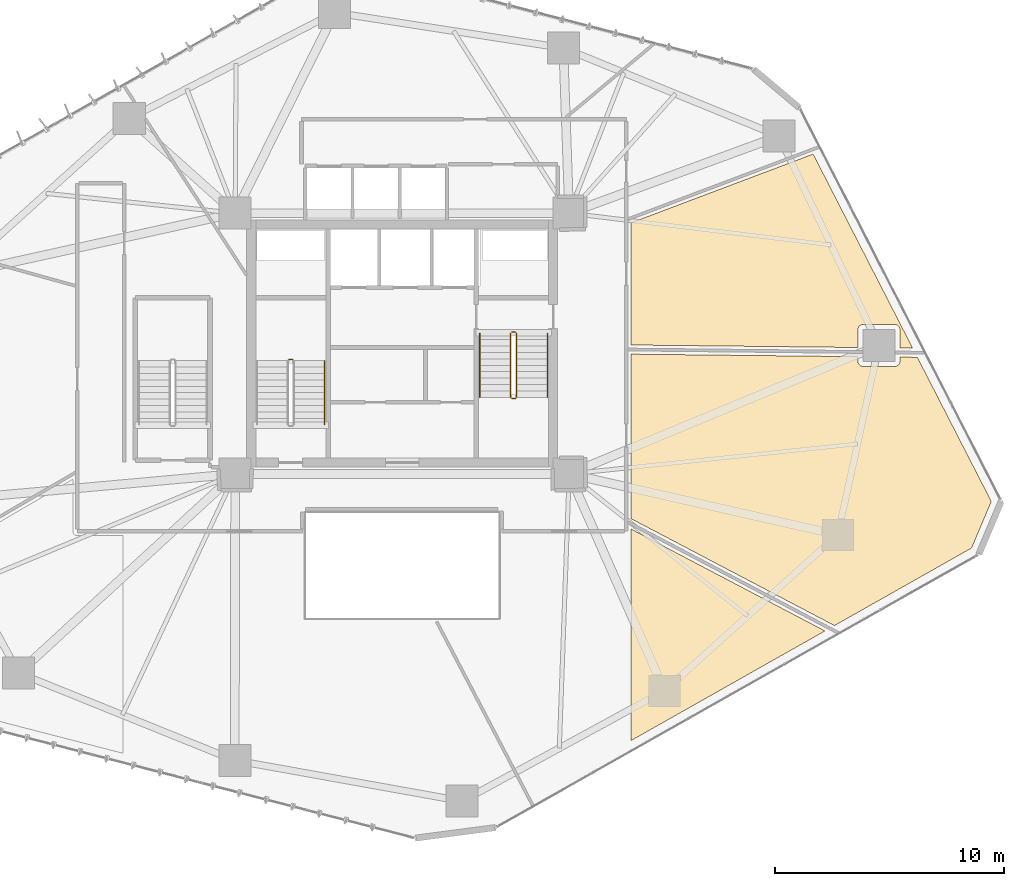
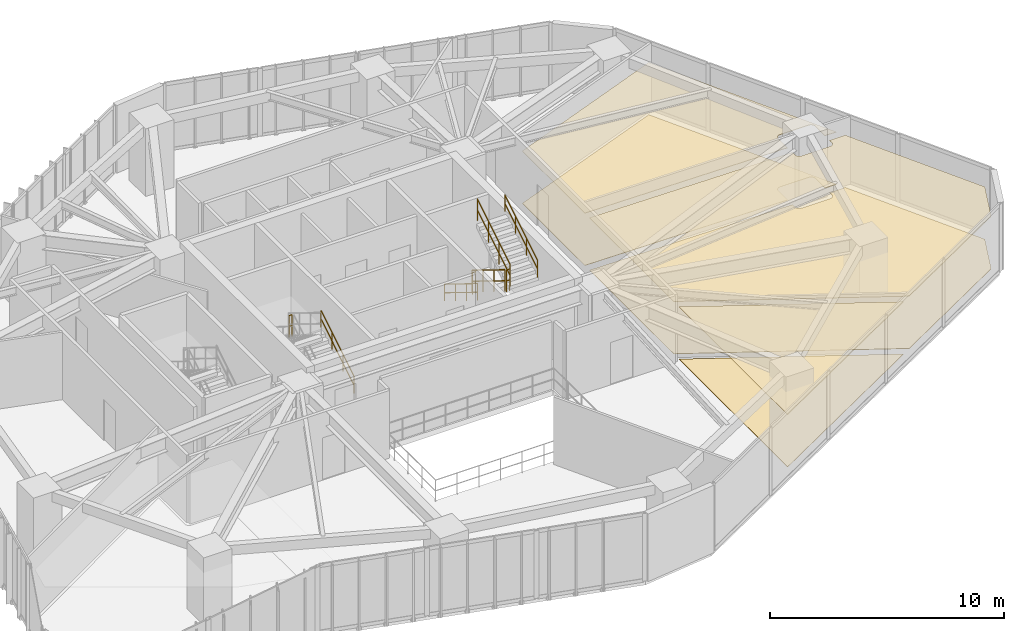
# One storey, part 22 of 23: 8 railings, 6 coverings.
"""IFC4 building model written with IfcOpenShell, lengths in metres."""

from ifc_helpers import new_model, si_unit, direction, frame, origin, origin_2d, place, context, subcontext, project, spatial, polyline, circle, outline, extrude, material, layer, layer_set, type_object, element, save


model = new_model("IFC4")

# Units and contexts
model_context = context("Model", 3, precision=1e-05, world=origin(), true_north=direction((0.0, 1.0)))
body_context = subcontext(model_context, "Body", "Model", "MODEL_VIEW")
ifc_project = project(units=[si_unit("LENGTHUNIT", "METRE"), si_unit("AREAUNIT", "SQUARE_METRE"), si_unit("VOLUMEUNIT", "CUBIC_METRE"), si_unit("PLANEANGLEUNIT", "RADIAN"), si_unit("MASSUNIT", "GRAM", prefix="KILO")], contexts=[model_context])

# Site, building, storey
site_placement = place(None, origin())
site = spatial("IfcSite", under=ifc_project, at=site_placement, CompositionType="ELEMENT")
building_placement = place(site_placement, origin())
building = spatial("IfcBuilding", under=site, at=building_placement, Name="Talar Marvaseh", CompositionType="ELEMENT")
storey_placement = place(building_placement, frame((0.0, 0.0, 46.800048828125)))
storey = spatial("IfcBuildingStorey", under=building, at=storey_placement, Name="L11", CompositionType="ELEMENT", Elevation=46.800048828125)

# Railings
ifc_material_1 = material(Name="Stainless Steel Grade 316", Category="steel")
railing_type_1 = type_object("IfcRailingType", Name="Brushed Stainless Wall Pitch Handrail 900", PredefinedType="HANDRAIL", material=ifc_material_1)
railing_1_placement = place(storey_placement, frame((22.610107421875, 27.64990234375, 0.172607421875)))
element("IfcRailing", 1, at=railing_1_placement, inside=storey, type_object=railing_type_1, Name="L11 ST-1 stair handrail 1", PredefinedType="HANDRAIL", context=body_context, shape_type="SweptSolid", body=[
    extrude(circle(Radius=0.02392578125, at=origin_2d()), frame((0.0, 0.0, 0.8759765625), z_axis=(0.0, 0.851089632645, 0.525020415988), x_axis=(-1.0, 0.0, 0.0)), (0.0, 0.0, 1.0), 3.2900390625),
    extrude(circle(Radius=0.02392578125, at=origin_2d()), frame((0.0, 0.0, 0.42578125), z_axis=(0.0, 0.851089632645, 0.525020415988), x_axis=(-1.0, 0.0, 0.0)), (0.0, 0.0, 1.0), 3.2900390625),
    extrude(circle(Radius=0.02099609375, at=origin_2d()), origin(), (0.0, 0.0, 1.0), 0.851806640625),
    extrude(circle(Radius=0.02099609375, at=origin_2d()), frame((0.0, 0.933349609375, 0.57568359375)), (0.0, 0.0, 1.0), 0.851806640625),
    extrude(circle(Radius=0.02099609375, at=origin_2d()), frame((0.0, 1.86669921875, 1.151611328125)), (0.0, 0.0, 1.0), 0.851806640625),
    extrude(circle(Radius=0.02099609375, at=origin_2d()), frame((0.0, 2.800048828125, 1.727294921875)), (0.0, 0.0, 1.0), 0.851806640625),
])
railing_2_placement = place(storey_placement, frame((29.389892578125, 31.64990234375, 0.172607421875)))
element("IfcRailing", 2, at=railing_2_placement, inside=storey, type_object=railing_type_1, Name="L11 ST-2 stair handrail 1", PredefinedType="HANDRAIL", context=body_context, shape_type="SweptSolid", body=[
    extrude(circle(Radius=0.02392578125, at=origin_2d()), frame((0.0, 0.0, 0.8759765625), z_axis=(0.0, -0.851069175582, 0.525053576669), x_axis=(1.0, 0.0, 0.0)), (0.0, 0.0, 1.0), 3.289794921875),
    extrude(circle(Radius=0.02392578125, at=origin_2d()), frame((0.0, 0.0, 0.42578125), z_axis=(0.0, -0.851069175582, 0.525053576669), x_axis=(1.0, 0.0, 0.0)), (0.0, 0.0, 1.0), 3.289794921875),
    extrude(circle(Radius=0.02099609375, at=origin_2d()), origin(), (0.0, 0.0, 1.0), 0.851806640625),
    extrude(circle(Radius=0.02099609375, at=origin_2d()), frame((0.0, -0.933349609375, 0.57568359375)), (0.0, 0.0, 1.0), 0.851806640625),
    extrude(circle(Radius=0.02099609375, at=origin_2d()), frame((0.0, -1.866455078125, 1.151611328125)), (0.0, 0.0, 1.0), 0.851806640625),
    extrude(circle(Radius=0.02099609375, at=origin_2d()), frame((0.0, -2.7998046875, 1.727294921875)), (0.0, 0.0, 1.0), 0.851806640625),
])
railing_3_placement = place(storey_placement, frame((32.35009765625, 28.85009765625, 2.07275390625)))
element("IfcRailing", 3, at=railing_3_placement, inside=storey, type_object=railing_type_1, Name="L11 ST-2 stair handrail 2", PredefinedType="HANDRAIL", context=body_context, shape_type="SweptSolid", body=[
    extrude(circle(Radius=0.02392578125, at=origin_2d()), frame((0.0, 0.0, 0.8759765625), z_axis=(0.0, 0.851069175582, 0.525053576669), x_axis=(-1.0, 0.0, 0.0)), (0.0, 0.0, 1.0), 3.289794921875),
    extrude(circle(Radius=0.02392578125, at=origin_2d()), frame((0.0, 0.0, 0.42578125), z_axis=(0.0, 0.851069175582, 0.525053576669), x_axis=(-1.0, 0.0, 0.0)), (0.0, 0.0, 1.0), 3.289794921875),
    extrude(circle(Radius=0.02099609375, at=origin_2d()), origin(), (0.0, 0.0, 1.0), 0.851806640625),
    extrude(circle(Radius=0.02099609375, at=origin_2d()), frame((0.0, 0.933349609375, 0.57568359375)), (0.0, 0.0, 1.0), 0.851806640625),
    extrude(circle(Radius=0.02099609375, at=origin_2d()), frame((0.0, 1.866455078125, 1.151611328125)), (0.0, 0.0, 1.0), 0.851806640625),
    extrude(circle(Radius=0.02099609375, at=origin_2d()), frame((0.0, 2.7998046875, 1.727294921875)), (0.0, 0.0, 1.0), 0.851806640625),
])
railing_type_2 = type_object("IfcRailingType", Name="Painted Steel Core Stair Well Guardrail 1150", PredefinedType="GUARDRAIL", material=ifc_material_1)
railing_4_placement = place(storey_placement, frame((21.2099609375, 30.5, 1.89990234375)))
element("IfcRailing", 4, at=railing_4_placement, inside=storey, type_object=railing_type_2, Name="L11 ST-1 stair guard 2", PredefinedType="GUARDRAIL", context=body_context, shape_type="SweptSolid", body=[
    extrude(circle(Radius=0.02392578125, at=origin_2d()), frame((0.0, 0.0, 1.1259765625), z_axis=(-1.0, 0.0, 0.0), x_axis=(0.0, -1.0, 0.0)), (0.0, 0.0, 1.0), 0.159912109375),
    extrude(circle(Radius=0.02392578125, at=origin_2d()), frame((0.0, 0.0, 0.55078125), z_axis=(-1.0, 0.0, 0.0), x_axis=(0.0, -1.0, 0.0)), (0.0, 0.0, 1.0), 0.159912109375),
    extrude(circle(Radius=0.02099609375, at=origin_2d()), origin(), (0.0, 0.0, 1.0), 1.101806640625),
    extrude(circle(Radius=0.02099609375, at=origin_2d()), frame((-0.159912109375, 0.0, 0.0)), (0.0, 0.0, 1.0), 1.101806640625),
])
railing_5_placement = place(storey_placement, frame((30.739990234375, 31.64990234375, 0.172607421875)))
element("IfcRailing", 5, at=railing_5_placement, inside=storey, type_object=railing_type_2, Name="L11 ST-2 stair guard 1", PredefinedType="GUARDRAIL", context=body_context, shape_type="SweptSolid", body=[
    extrude(circle(Radius=0.02392578125, at=origin_2d()), frame((0.0, 0.0, 1.1259765625), z_axis=(0.0, -0.851069175582, 0.525053576669), x_axis=(1.0, 0.0, 0.0)), (0.0, 0.0, 1.0), 3.289794921875),
    extrude(circle(Radius=0.02392578125, at=origin_2d()), frame((0.0, 0.0, 0.55078125), z_axis=(0.0, -0.851069175582, 0.525053576669), x_axis=(1.0, 0.0, 0.0)), (0.0, 0.0, 1.0), 3.289794921875),
    extrude(circle(Radius=0.02099609375, at=origin_2d()), origin(), (0.0, 0.0, 1.0), 1.101806640625),
    extrude(circle(Radius=0.02099609375, at=origin_2d()), frame((0.0, -0.933349609375, 0.57568359375)), (0.0, 0.0, 1.0), 1.101806640625),
    extrude(circle(Radius=0.02099609375, at=origin_2d()), frame((0.0, -1.866455078125, 1.151611328125)), (0.0, 0.0, 1.0), 1.101806640625),
    extrude(circle(Radius=0.02099609375, at=origin_2d()), frame((0.0, -2.7998046875, 1.727294921875)), (0.0, 0.0, 1.0), 1.101806640625),
])
railing_6_placement = place(storey_placement, frame((30.7900390625, 28.800048828125, 1.89990234375)))
element("IfcRailing", 6, at=railing_6_placement, inside=storey, type_object=railing_type_2, Name="L11 ST-2 stair guard 2", PredefinedType="GUARDRAIL", context=body_context, shape_type="SweptSolid", body=[
    extrude(circle(Radius=0.02392578125, at=origin_2d()), frame((0.0, 0.0, 1.1259765625), z_axis=(1.0, 0.0, 0.0), x_axis=(0.0, 1.0, 0.0)), (0.0, 0.0, 1.0), 0.159912109375),
    extrude(circle(Radius=0.02392578125, at=origin_2d()), frame((0.0, 0.0, 0.55078125), z_axis=(1.0, 0.0, 0.0), x_axis=(0.0, 1.0, 0.0)), (0.0, 0.0, 1.0), 0.159912109375),
    extrude(circle(Radius=0.02099609375, at=origin_2d()), origin(), (0.0, 0.0, 1.0), 1.101806640625),
    extrude(circle(Radius=0.02099609375, at=origin_2d()), frame((0.159912109375, 0.0, 0.0)), (0.0, 0.0, 1.0), 1.101806640625),
])
railing_7_placement = place(storey_placement, frame((31.0, 28.85009765625, 2.07275390625)))
element("IfcRailing", 7, at=railing_7_placement, inside=storey, type_object=railing_type_2, Name="L11 ST-2 stair guard 3", PredefinedType="GUARDRAIL", context=body_context, shape_type="SweptSolid", body=[
    extrude(circle(Radius=0.02392578125, at=origin_2d()), frame((0.0, 0.0, 1.1259765625), z_axis=(0.0, 0.851069175582, 0.525053576669), x_axis=(-1.0, 0.0, 0.0)), (0.0, 0.0, 1.0), 3.289794921875),
    extrude(circle(Radius=0.02392578125, at=origin_2d()), frame((0.0, 0.0, 0.55078125), z_axis=(0.0, 0.851069175582, 0.525053576669), x_axis=(-1.0, 0.0, 0.0)), (0.0, 0.0, 1.0), 3.289794921875),
    extrude(circle(Radius=0.02099609375, at=origin_2d()), origin(), (0.0, 0.0, 1.0), 1.101806640625),
    extrude(circle(Radius=0.02099609375, at=origin_2d()), frame((0.0, 0.933349609375, 0.57568359375)), (0.0, 0.0, 1.0), 1.101806640625),
    extrude(circle(Radius=0.02099609375, at=origin_2d()), frame((0.0, 1.866455078125, 1.151611328125)), (0.0, 0.0, 1.0), 1.101806640625),
    extrude(circle(Radius=0.02099609375, at=origin_2d()), frame((0.0, 2.7998046875, 1.727294921875)), (0.0, 0.0, 1.0), 1.101806640625),
])
railing_8_placement = place(storey_placement, frame((30.7900390625, 31.699951171875, 0.0)))
element("IfcRailing", 8, at=railing_8_placement, inside=storey, type_object=railing_type_2, Name="L11 ST-2 stair guard 4", PredefinedType="GUARDRAIL", context=body_context, shape_type="SweptSolid", body=[
    extrude(circle(Radius=0.02392578125, at=origin_2d()), frame((0.0, 0.0, 1.1259765625), z_axis=(1.0, 0.0, 0.0), x_axis=(0.0, 1.0, 0.0)), (0.0, 0.0, 1.0), 0.159912109375),
    extrude(circle(Radius=0.02392578125, at=origin_2d()), frame((0.0, 0.0, 0.55078125), z_axis=(1.0, 0.0, 0.0), x_axis=(0.0, 1.0, 0.0)), (0.0, 0.0, 1.0), 0.159912109375),
    extrude(circle(Radius=0.02099609375, at=origin_2d()), origin(), (0.0, 0.0, 1.0), 1.101806640625),
    extrude(circle(Radius=0.02099609375, at=origin_2d()), frame((0.159912109375, 0.0, 0.0)), (0.0, 0.0, 1.0), 1.101806640625),
])

# Coverings
ifc_material_2 = material(Name="Mineral Fibre Acoustic Ceiling")
ifc_layer_1 = layer(ifc_material_2, 0.02490234375)
ifc_layer_set_1 = layer_set([ifc_layer_1], Name="Mineral Fibre Acoustic Ceiling")
covering_type_1 = type_object("IfcCoveringType", Name="Perforated Mineral Fibre Acoustic Suspended Ceiling", PredefinedType="CEILING", material=ifc_layer_set_1)
covering_1_placement = place(storey_placement, frame((0.0, 0.0, 2.719970703125)))
element("IfcCovering", 9, at=covering_1_placement, inside=storey, type_object=covering_type_1, Name="L11 Gallery Concierge Reception Acoustic Ceiling", PredefinedType="CEILING", context=body_context, shape_type="SweptSolid", body=[
    extrude(outline(polyline([(44.483154296875, 18.63671875), (36.0, 13.8388671875), (36.0, 23.0), (36.0, 23.09521484375), (44.483154296875, 18.63671875)])), origin(), (0.0, 0.0, 1.0), 0.02490234375),
])
covering_2_placement = place(storey_placement, frame((0.0, 0.0, 2.719970703125)))
element("IfcCovering", 10, at=covering_2_placement, inside=storey, type_object=covering_type_1, Name="L11 Main Reading Room Acoustic Ceiling", PredefinedType="CEILING", context=body_context, shape_type="SweptSolid", body=[
    extrude(outline(polyline([(36.0, 23.547119140625), (36.0, 30.73681640625), (45.926025390625, 30.62744140625), (45.926025390625, 30.4189453125), (45.927001953125, 30.3994140625), (45.9296875, 30.3798828125), (45.9345703125, 30.36083984375), (45.941162109375, 30.342529296875), (45.94970703125, 30.32470703125), (45.959716796875, 30.307861328125), (45.971435546875, 30.2919921875), (45.984619140625, 30.277587890625), (45.99951171875, 30.2626953125), (46.01416015625, 30.24951171875), (46.02978515625, 30.23779296875), (46.046630859375, 30.2275390625), (46.064453125, 30.21923828125), (46.0830078125, 30.212646484375), (46.10205078125, 30.207763671875), (46.121337890625, 30.205078125), (46.14111328125, 30.2041015625), (47.5439453125, 30.204345703125), (47.5634765625, 30.205322265625), (47.5830078125, 30.2080078125), (47.601806640625, 30.212890625), (47.620361328125, 30.219482421875), (47.63818359375, 30.227783203125), (47.65478515625, 30.23779296875), (47.670654296875, 30.24951171875), (47.68505859375, 30.2626953125), (47.6982421875, 30.277099609375), (47.71044921875, 30.2919921875), (47.72216796875, 30.3076171875), (47.732421875, 30.324462890625), (47.74072265625, 30.34228515625), (47.747314453125, 30.36083984375), (47.752197265625, 30.3798828125), (47.7548828125, 30.3994140625), (47.756103515625, 30.4189453125), (47.756103515625, 30.607177734375), (48.522705078125, 30.5986328125), (51.754638671875, 24.297607421875), (50.89404296875, 22.262451171875), (44.897216796875, 18.870849609375), (36.0, 23.547119140625)])), origin(), (0.0, 0.0, 1.0), 0.02490234375),
])
covering_3_placement = place(storey_placement, frame((0.0, 0.0, 2.719970703125)))
element("IfcCovering", 11, at=covering_3_placement, inside=storey, type_object=covering_type_1, Name="L11 Visitor Orientation Foyer Acoustic Ceiling", PredefinedType="CEILING", context=body_context, shape_type="SweptSolid", body=[
    extrude(outline(polyline([(47.7548828125, 31.838623046875), (47.752197265625, 31.85791015625), (47.747314453125, 31.877197265625), (47.74072265625, 31.8955078125), (47.732421875, 31.913330078125), (47.722412109375, 31.93017578125), (47.710693359375, 31.94580078125), (47.697509765625, 31.96044921875), (47.682373046875, 31.975341796875), (47.667724609375, 31.988525390625), (47.652099609375, 32.000244140625), (47.63525390625, 32.010498046875), (47.617431640625, 32.018798828125), (47.598876953125, 32.025390625), (47.579833984375, 32.0302734375), (47.560302734375, 32.033203125), (47.54052734375, 32.033935546875), (46.13232421875, 32.031494140625), (46.11279296875, 32.030517578125), (46.093505859375, 32.027587890625), (46.074462890625, 32.022705078125), (46.055908203125, 32.01611328125), (46.038330078125, 32.0078125), (46.021484375, 31.997802734375), (46.005859375, 31.986083984375), (45.9912109375, 31.972900390625), (45.978271484375, 31.95849609375), (45.966552734375, 31.94287109375), (45.956298828125, 31.926025390625), (45.94970703125, 31.91357421875), (45.94140625, 31.895751953125), (45.934814453125, 31.877197265625), (45.929931640625, 31.858154296875), (45.927001953125, 31.838623046875), (45.926025390625, 31.819091796875), (45.926025390625, 31.02734375), (36.0, 31.13671875), (36.0, 36.475341796875), (43.9658203125, 39.4833984375), (48.31640625, 31.0009765625), (47.756103515625, 31.007080078125), (47.756103515625, 31.819091796875), (47.7548828125, 31.838623046875)])), origin(), (0.0, 0.0, 1.0), 0.02490234375),
])
ifc_material_3 = material(Name="Porcelain Stoneware Tile", Category="masonry")
ifc_layer_2 = layer(ifc_material_3, 0.02001953125)
ifc_layer_set_2 = layer_set([ifc_layer_2], Name="Porcelain Stoneware Tile")
covering_type_2 = type_object("IfcCoveringType", Name="Polished Porcelain Stoneware Gallery Flooring", PredefinedType="FLOORING", material=ifc_layer_set_2)
covering_4_placement = place(storey_placement, origin())
element("IfcCovering", 12, at=covering_4_placement, inside=storey, type_object=covering_type_2, Name="L11 Gallery Concierge Reception Flooring", PredefinedType="FLOORING", context=body_context, shape_type="SweptSolid", body=[
    extrude(outline(polyline([(44.483154296875, 18.63671875), (36.0, 13.8388671875), (36.0, 23.0), (36.0, 23.09521484375), (44.483154296875, 18.63671875)])), origin(), (0.0, 0.0, 1.0), 0.02001953125),
])
covering_5_placement = place(storey_placement, origin())
element("IfcCovering", 13, at=covering_5_placement, inside=storey, type_object=covering_type_2, Name="L11 Main Reading Room Flooring", PredefinedType="FLOORING", context=body_context, shape_type="SweptSolid", body=[
    extrude(outline(polyline([(36.0, 23.547119140625), (36.0, 30.73681640625), (45.926025390625, 30.62744140625), (45.926025390625, 30.4189453125), (45.927001953125, 30.3994140625), (45.9296875, 30.3798828125), (45.9345703125, 30.36083984375), (45.941162109375, 30.342529296875), (45.94970703125, 30.32470703125), (45.959716796875, 30.307861328125), (45.971435546875, 30.2919921875), (45.984619140625, 30.277587890625), (45.99951171875, 30.2626953125), (46.01416015625, 30.24951171875), (46.02978515625, 30.23779296875), (46.046630859375, 30.2275390625), (46.064453125, 30.21923828125), (46.0830078125, 30.212646484375), (46.10205078125, 30.207763671875), (46.121337890625, 30.205078125), (46.14111328125, 30.2041015625), (47.5439453125, 30.204345703125), (47.5634765625, 30.205322265625), (47.5830078125, 30.2080078125), (47.601806640625, 30.212890625), (47.620361328125, 30.219482421875), (47.63818359375, 30.227783203125), (47.65478515625, 30.23779296875), (47.670654296875, 30.24951171875), (47.68505859375, 30.2626953125), (47.6982421875, 30.277099609375), (47.71044921875, 30.2919921875), (47.72216796875, 30.3076171875), (47.732421875, 30.324462890625), (47.74072265625, 30.34228515625), (47.747314453125, 30.36083984375), (47.752197265625, 30.3798828125), (47.7548828125, 30.3994140625), (47.756103515625, 30.4189453125), (47.756103515625, 30.607177734375), (48.522705078125, 30.5986328125), (51.754638671875, 24.297607421875), (50.89404296875, 22.262451171875), (44.897216796875, 18.870849609375), (36.0, 23.547119140625)])), origin(), (0.0, 0.0, 1.0), 0.02001953125),
])
covering_6_placement = place(storey_placement, origin())
element("IfcCovering", 14, at=covering_6_placement, inside=storey, type_object=covering_type_2, Name="L11 Visitor Orientation Foyer Flooring", PredefinedType="FLOORING", context=body_context, shape_type="SweptSolid", body=[
    extrude(outline(polyline([(47.7548828125, 31.838623046875), (47.752197265625, 31.85791015625), (47.747314453125, 31.877197265625), (47.74072265625, 31.8955078125), (47.732421875, 31.913330078125), (47.722412109375, 31.93017578125), (47.710693359375, 31.94580078125), (47.697509765625, 31.96044921875), (47.682373046875, 31.975341796875), (47.667724609375, 31.988525390625), (47.652099609375, 32.000244140625), (47.63525390625, 32.010498046875), (47.617431640625, 32.018798828125), (47.598876953125, 32.025390625), (47.579833984375, 32.0302734375), (47.560302734375, 32.033203125), (47.54052734375, 32.033935546875), (46.13232421875, 32.031494140625), (46.11279296875, 32.030517578125), (46.093505859375, 32.027587890625), (46.074462890625, 32.022705078125), (46.055908203125, 32.01611328125), (46.038330078125, 32.0078125), (46.021484375, 31.997802734375), (46.005859375, 31.986083984375), (45.9912109375, 31.972900390625), (45.978271484375, 31.95849609375), (45.966552734375, 31.94287109375), (45.956298828125, 31.926025390625), (45.94970703125, 31.91357421875), (45.94140625, 31.895751953125), (45.934814453125, 31.877197265625), (45.929931640625, 31.858154296875), (45.927001953125, 31.838623046875), (45.926025390625, 31.819091796875), (45.926025390625, 31.02734375), (36.0, 31.13671875), (36.0, 36.475341796875), (43.9658203125, 39.4833984375), (48.31640625, 31.0009765625), (47.756103515625, 31.007080078125), (47.756103515625, 31.819091796875), (47.7548828125, 31.838623046875)])), origin(), (0.0, 0.0, 1.0), 0.02001953125),
])

save(model, "model.ifc")
